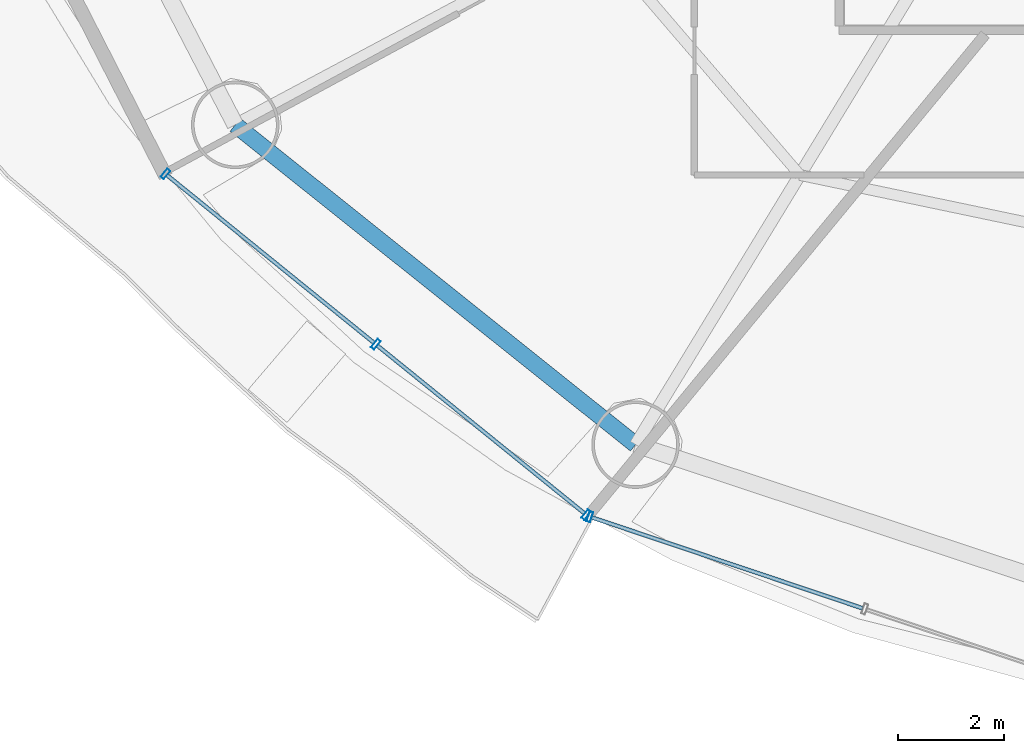
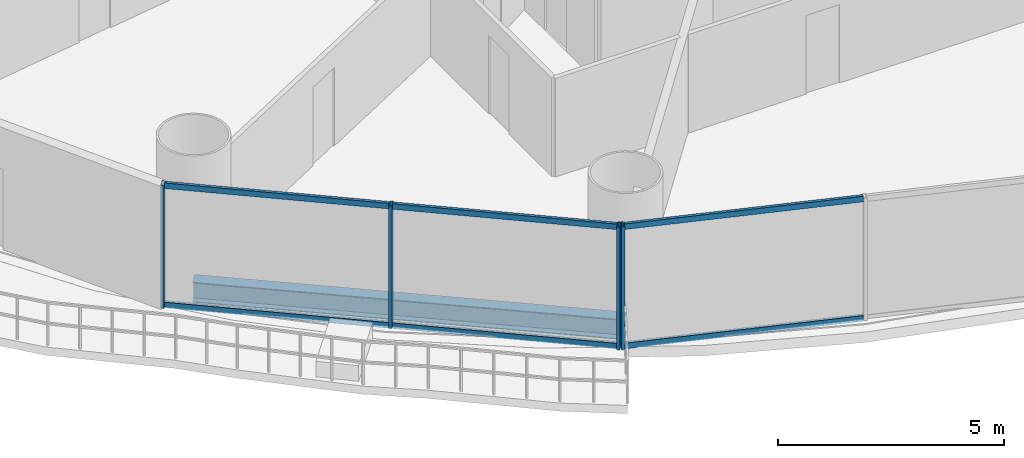
# One storey, part 2 of 28: 10 members, 1 beam, 2 elements without a shape of their own.
"""IFC4 building model written with IfcOpenShell, lengths in metres."""

from ifc_helpers import new_model, si_unit, direction, frame, origin, origin_2d, place, context, subcontext, project, spatial, hollow_rectangle, i_section, extrude, source, transform, mapped, material, material_profile, profile_set, type_object, element, aggregate, save


model = new_model("IFC4")

# Units and contexts
model_context = context("Model", 3, precision=1e-05, world=origin(), true_north=direction((-0.2419218956, 0.970295726276)))
body_context = subcontext(model_context, "Body", "Model", "MODEL_VIEW")
ifc_project = project(units=[si_unit("LENGTHUNIT", "METRE"), si_unit("AREAUNIT", "SQUARE_METRE"), si_unit("VOLUMEUNIT", "CUBIC_METRE"), si_unit("PLANEANGLEUNIT", "RADIAN"), si_unit("MASSUNIT", "GRAM", prefix="KILO")], contexts=[model_context])

# Site, building, storey
site_placement = place(None, origin())
site = spatial("IfcSite", under=ifc_project, at=site_placement, CompositionType="ELEMENT")
building_placement = place(site_placement, origin())
building = spatial("IfcBuilding", under=site, at=building_placement, Name="Cobrevalo Terracotta Tower", CompositionType="ELEMENT")
storey_placement = place(building_placement, frame((0.0, 0.0, 42.0)))
storey = spatial("IfcBuildingStorey", under=building, at=storey_placement, Name="L10", CompositionType="ELEMENT", Elevation=42.0)

# Beam
ifc_material_1 = material(Name="Steel S355", Category="steel")
ifc_material_profile_1 = material_profile(ifc_material_1, i_section(OverallWidth=0.31201171875, OverallDepth=0.54296875, WebThickness=0.0126953125, FlangeThickness=0.020263671875, at=origin_2d()), Name="W 530x150")
ifc_profile_set_1 = profile_set([ifc_material_profile_1], Name="Steel S355")
beam_type = type_object("IfcBeamType", Name="Structural Spandrel W 530x150 (Steel S355)", PredefinedType="SPANDREL", material=ifc_profile_set_1)
beam_placement = place(storey_placement, frame((15.25927734375, 14.660888671875, -0.551513671875), z_axis=(0.781280479891, -0.62418011162, 0.0), x_axis=(0.62418011162, 0.781280479891, 0.0)))
element("IfcBeam", 1, at=beam_placement, inside=storey, type_object=beam_type, Name="L10 perimeter ring spandrel 10", PredefinedType="SPANDREL", context=body_context, shape_type="SweptSolid", body=[
    extrude(i_section(OverallWidth=0.31201171875, OverallDepth=0.54296875, WebThickness=0.0126953125, FlangeThickness=0.020263671875, at=origin_2d()), origin(), (0.0, 0.0, 1.0), 9.658447265625),
])

# Curtain wall, members
ifc_material_2 = material(Name="Anodized aluminium", Category="aluminium")
curtain_wall_type = type_object("IfcCurtainWallType", Name="Lower-tower unitised acoustic low-E curtain wall CW-U1", PredefinedType="NOTDEFINED", material=ifc_material_2)
curtain_wall_1_placement = place(storey_placement, origin())
curtain_wall_1 = element("IfcCurtainWall", 2, at=curtain_wall_1_placement, inside=storey, type_object=curtain_wall_type, Name="L10 curtain wall CW-L10-S10", PredefinedType="NOTDEFINED")
ifc_material_profile_2 = material_profile(ifc_material_2, hollow_rectangle(XDim=0.074951171875, YDim=0.199951171875, WallThickness=0.0048828125, at=origin_2d()), Name="CWM 75x200")
ifc_profile_set_2 = profile_set([ifc_material_profile_2], Name="Anodized aluminium")
member_type_1 = type_object("IfcMemberType", Name="Lower/mid tower unitised mullion 75x200", PredefinedType="MULLION", material=ifc_profile_set_2)
shared_shape_1 = source(origin(), body_context, "Body", "SweptSolid", [
    extrude(hollow_rectangle(XDim=0.074951171875, YDim=0.199951171875, WallThickness=0.0048828125, at=origin_2d()), origin(), (0.0, 0.0, 1.0), 3.320068359375),
])
member_1_placement = place(storey_placement, frame((13.943359375, 13.735595703125, 0.0), z_axis=(0.0, 0.0, 1.0), x_axis=(0.777003153187, -0.629496703675, 0.0)))
member_1 = element("IfcMember", 3, at=member_1_placement, type_object=member_type_1, Name="CW-L10-S10 vertical mullion 01", PredefinedType="MULLION", context=body_context, shape_type="MappedRepresentation", body=[
    mapped(shared_shape_1, transform((0.0, 0.0, 0.0), scale=1.0)),
])
member_2_placement = place(storey_placement, frame((17.90869140625, 10.523193359375, 0.0), z_axis=(0.0, 0.0, 1.0), x_axis=(0.777003153187, -0.629496703675, 0.0)))
member_2 = element("IfcMember", 4, at=member_2_placement, type_object=member_type_1, Name="CW-L10-S10 vertical mullion 02", PredefinedType="MULLION", context=body_context, shape_type="MappedRepresentation", body=[
    mapped(shared_shape_1, transform((0.0, 0.0, 0.0), scale=1.0)),
])
member_3_placement = place(storey_placement, frame((21.8740234375, 7.310546875, 0.0), z_axis=(0.0, 0.0, 1.0), x_axis=(0.777003153187, -0.629496703675, 0.0)))
member_3 = element("IfcMember", 5, at=member_3_placement, type_object=member_type_1, Name="CW-L10-S10 vertical mullion 03", PredefinedType="MULLION", context=body_context, shape_type="MappedRepresentation", body=[
    mapped(shared_shape_1, transform((0.0, 0.0, 0.0), scale=1.0)),
])

# Curtain wall, member
curtain_wall_2_placement = place(storey_placement, origin())
curtain_wall_2 = element("IfcCurtainWall", 6, at=curtain_wall_2_placement, inside=storey, type_object=curtain_wall_type, Name="L10 curtain wall CW-L10-S11", PredefinedType="NOTDEFINED")
member_4_placement = place(storey_placement, frame((21.943115234375, 7.272705078125, 0.0), z_axis=(0.0, 0.0, 1.0), x_axis=(0.948046393597, -0.318132103987, 0.0)))
member_4 = element("IfcMember", 7, at=member_4_placement, type_object=member_type_1, Name="CW-L10-S11 vertical mullion 01", PredefinedType="MULLION", context=body_context, shape_type="MappedRepresentation", body=[
    mapped(shared_shape_1, transform((0.0, 0.0, 0.0), scale=1.0)),
])

# Member
ifc_material_profile_3 = material_profile(ifc_material_2, hollow_rectangle(XDim=0.074951171875, YDim=0.14990234375, WallThickness=0.00439453125, at=origin_2d()), Name="CWT 75x150")
ifc_profile_set_3 = profile_set([ifc_material_profile_3], Name="Anodized aluminium")
member_type_2 = type_object("IfcMemberType", Name="Tower unitised aluminium transom 75x150", PredefinedType="USERDEFINED", material=ifc_profile_set_3)
shared_shape_2 = source(origin(), body_context, "Body", "SweptSolid", [
    extrude(hollow_rectangle(XDim=0.074951171875, YDim=0.14990234375, WallThickness=0.00439453125, at=origin_2d()), origin(), (0.0, 0.0, 1.0), 5.0234375),
])
member_5_placement = place(storey_placement, frame((13.974365234375, 13.71044921875, 0.050048828125), z_axis=(0.777022991593, -0.629472215857, 0.0), x_axis=(0.629472215857, 0.777022991593, 0.0)))
member_5 = element("IfcMember", 8, at=member_5_placement, type_object=member_type_2, Name="CW-L10-S10 transom B01-T1", ObjectType="TRANSOM", PredefinedType="USERDEFINED", context=body_context, shape_type="MappedRepresentation", body=[
    mapped(shared_shape_2, transform((0.0, 0.0, 0.0), scale=1.0)),
])

member_6_placement = place(storey_placement, frame((13.974365234375, 13.71044921875, 3.27001953125), z_axis=(0.777022991593, -0.629472215857, 0.0), x_axis=(0.629472215857, 0.777022991593, 0.0)))
member_6 = element("IfcMember", 9, at=member_6_placement, type_object=member_type_2, Name="CW-L10-S10 transom B01-T2", ObjectType="TRANSOM", PredefinedType="USERDEFINED", context=body_context, shape_type="MappedRepresentation", body=[
    mapped(shared_shape_2, transform((0.0, 0.0, 0.0), scale=1.0)),
])

member_7_placement = place(storey_placement, frame((17.939697265625, 10.497802734375, 0.050048828125), z_axis=(0.777022991593, -0.629472215857, 0.0), x_axis=(0.629472215857, 0.777022991593, 0.0)))
member_7 = element("IfcMember", 10, at=member_7_placement, type_object=member_type_2, Name="CW-L10-S10 transom B02-T1", ObjectType="TRANSOM", PredefinedType="USERDEFINED", context=body_context, shape_type="MappedRepresentation", body=[
    mapped(shared_shape_2, transform((0.0, 0.0, 0.0), scale=1.0)),
])

member_8_placement = place(storey_placement, frame((17.939697265625, 10.497802734375, 3.27001953125), z_axis=(0.777022991593, -0.629472215857, 0.0), x_axis=(0.629472215857, 0.777022991593, 0.0)))
member_8 = element("IfcMember", 11, at=member_8_placement, type_object=member_type_2, Name="CW-L10-S10 transom B02-T2", ObjectType="TRANSOM", PredefinedType="USERDEFINED", context=body_context, shape_type="MappedRepresentation", body=[
    mapped(shared_shape_2, transform((0.0, 0.0, 0.0), scale=1.0)),
])

aggregate(curtain_wall_1, [member_1, member_2, member_3, member_5, member_6, member_7, member_8])

shared_shape_3 = source(origin(), body_context, "Body", "SweptSolid", [
    extrude(hollow_rectangle(XDim=0.074951171875, YDim=0.14990234375, WallThickness=0.00439453125, at=origin_2d()), origin(), (0.0, 0.0, 1.0), 5.387939453125),
])
member_9_placement = place(storey_placement, frame((21.98095703125, 7.260009765625, 0.050048828125), z_axis=(0.94804244582, -0.318143868278, 0.0), x_axis=(0.318143868278, 0.94804244582, 0.0)))
member_9 = element("IfcMember", 12, at=member_9_placement, type_object=member_type_2, Name="CW-L10-S11 transom B01-T1", ObjectType="TRANSOM", PredefinedType="USERDEFINED", context=body_context, shape_type="MappedRepresentation", body=[
    mapped(shared_shape_3, transform((0.0, 0.0, 0.0), scale=1.0)),
])

member_10_placement = place(storey_placement, frame((21.98095703125, 7.260009765625, 3.27001953125), z_axis=(0.94804244582, -0.318143868278, 0.0), x_axis=(0.318143868278, 0.94804244582, 0.0)))
member_10 = element("IfcMember", 13, at=member_10_placement, type_object=member_type_2, Name="CW-L10-S11 transom B01-T2", ObjectType="TRANSOM", PredefinedType="USERDEFINED", context=body_context, shape_type="MappedRepresentation", body=[
    mapped(shared_shape_3, transform((0.0, 0.0, 0.0), scale=1.0)),
])

aggregate(curtain_wall_2, [member_4, member_9, member_10])

save(model, "model.ifc")
